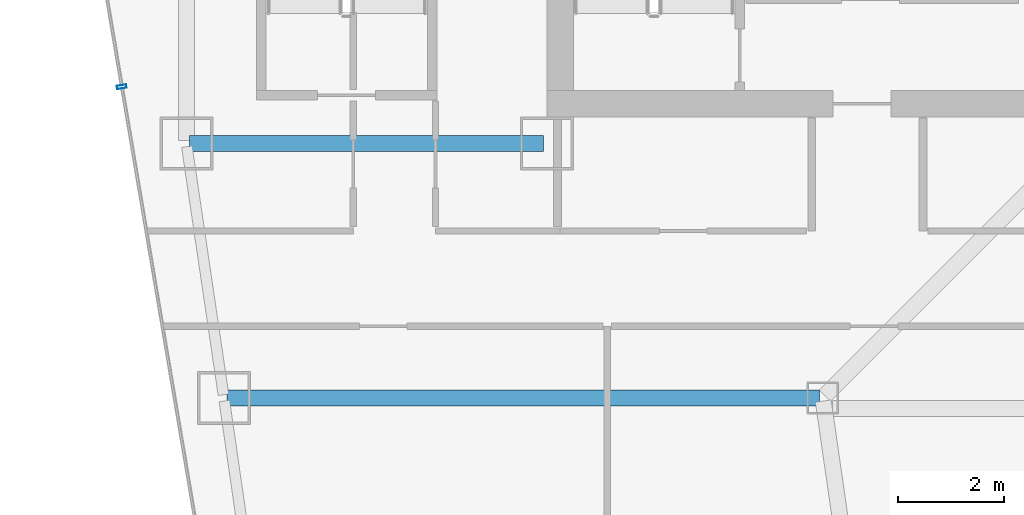
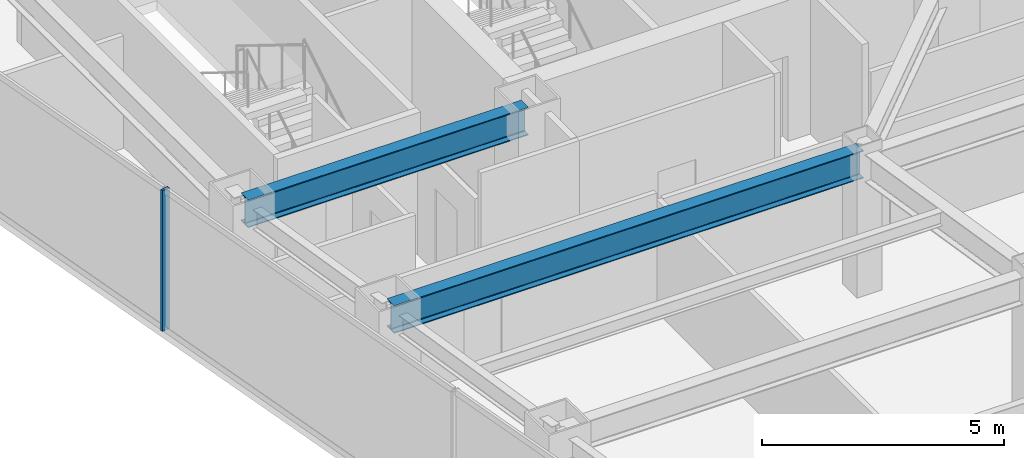
# One storey, part 10 of 35: 2 beams, 1 member, 1 element without a shape of its own.
"""IFC4 building model written with IfcOpenShell, lengths in metres."""

from ifc_helpers import new_model, si_unit, direction, frame, origin, origin_2d, place, context, subcontext, project, spatial, hollow_rectangle, i_section, extrude, material, material_profile, profile_set, type_object, element, aggregate, save


model = new_model("IFC4")

# Units and contexts
model_context = context("Model", 3, precision=1e-05, world=origin(), true_north=direction((0.0, 1.0)))
body_context = subcontext(model_context, "Body", "Model", "MODEL_VIEW")
ifc_project = project(units=[si_unit("LENGTHUNIT", "METRE"), si_unit("AREAUNIT", "SQUARE_METRE"), si_unit("VOLUMEUNIT", "CUBIC_METRE"), si_unit("PLANEANGLEUNIT", "RADIAN"), si_unit("MASSUNIT", "GRAM", prefix="KILO")], contexts=[model_context])

# Site, building, storey
site_placement = place(None, origin())
site = spatial("IfcSite", under=ifc_project, at=site_placement, CompositionType="ELEMENT")
building_placement = place(site_placement, origin())
building = spatial("IfcBuilding", under=site, at=building_placement, Name="Saevonmaru Cultural Tower", CompositionType="ELEMENT")
storey_placement = place(building_placement, frame((0.0, 0.0, 175.199951171875)))
storey = spatial("IfcBuildingStorey", under=building, at=storey_placement, Name="L39", CompositionType="ELEMENT", Elevation=175.199951171875)

# Beams
ifc_material_1 = material(Name="Steel SM355", Category="steel")
ifc_material_profile_1 = material_profile(ifc_material_1, i_section(OverallWidth=0.300048828125, OverallDepth=0.699951171875, WebThickness=0.012939453125, FlangeThickness=0.02392578125, FilletRadius=0.02587890625, at=origin_2d()), Name="H-700x300x13x24")
ifc_profile_set_1 = profile_set([ifc_material_profile_1], Name="Steel SM355")
beam_type = type_object("IfcBeamType", Name="BM-G-H700", PredefinedType="BEAM", material=ifc_profile_set_1)
beam_1_placement = place(storey_placement, frame((6.860107421875, 42.39990234375, 3.199951171875), z_axis=(1.0, 0.0, 0.0), x_axis=(0.0, 1.0, 0.0)))
element("IfcBeam", 1, at=beam_1_placement, inside=storey, type_object=beam_type, Name="L39 Core South Girder 1", PredefinedType="BEAM", context=body_context, shape_type="SweptSolid", body=[
    extrude(i_section(OverallWidth=0.300048828125, OverallDepth=0.699951171875, WebThickness=0.012939453125, FlangeThickness=0.02392578125, FilletRadius=0.02587890625, at=origin_2d()), origin(), (0.0, 0.0, 1.0), 6.679931640625),
])
beam_2_placement = place(storey_placement, frame((7.568115234375, 37.60009765625, 3.199951171875), z_axis=(1.0, 0.0, 0.0), x_axis=(0.0, 1.0, 0.0)))
element("IfcBeam", 2, at=beam_2_placement, inside=storey, type_object=beam_type, Name="L39 West Wing Transverse Girder 4", PredefinedType="BEAM", context=body_context, shape_type="SweptSolid", body=[
    extrude(i_section(OverallWidth=0.300048828125, OverallDepth=0.699951171875, WebThickness=0.012939453125, FlangeThickness=0.02392578125, FilletRadius=0.02587890625, at=origin_2d()), origin(), (0.0, 0.0, 1.0), 11.179931640625),
])

# Curtain wall, member
ifc_material_2 = material(Name="Satin Bronze Anodised Aluminium", Category="aluminium")
curtain_wall_type = type_object("IfcCurtainWallType", Name="CW-TYP-B", PredefinedType="NOTDEFINED", material=ifc_material_2)
curtain_wall_placement = place(storey_placement, origin())
curtain_wall = element("IfcCurtainWall", 3, at=curtain_wall_placement, inside=storey, type_object=curtain_wall_type, Name="L39 Unitised Curtain Wall E12", PredefinedType="NOTDEFINED")
ifc_material_profile_2 = material_profile(ifc_material_2, hollow_rectangle(XDim=0.06494140625, YDim=0.179931640625, WallThickness=0.00390625, at=origin_2d()), Name="ALU-MULL-180x65x4")
ifc_profile_set_2 = profile_set([ifc_material_profile_2], Name="Satin Bronze Anodised Aluminium")
member_type = type_object("IfcMemberType", Name="ML-CW-180x65", PredefinedType="MULLION", material=ifc_profile_set_2)
member_placement = place(storey_placement, frame((5.579345703125, 43.470458984375, 0.0), z_axis=(0.0, 0.0, 1.0), x_axis=(0.16692169721, -0.985970155228, 0.0)))
member = element("IfcMember", 4, at=member_placement, type_object=member_type, Name="CW-TW-L39-E12 mullion 2", PredefinedType="MULLION", context=body_context, shape_type="SweptSolid", body=[
    extrude(hollow_rectangle(XDim=0.06494140625, YDim=0.179931640625, WallThickness=0.00390625, at=origin_2d()), origin(), (0.0, 0.0, 1.0), 3.550048828125),
])
aggregate(curtain_wall, [member])

save(model, "model.ifc")
